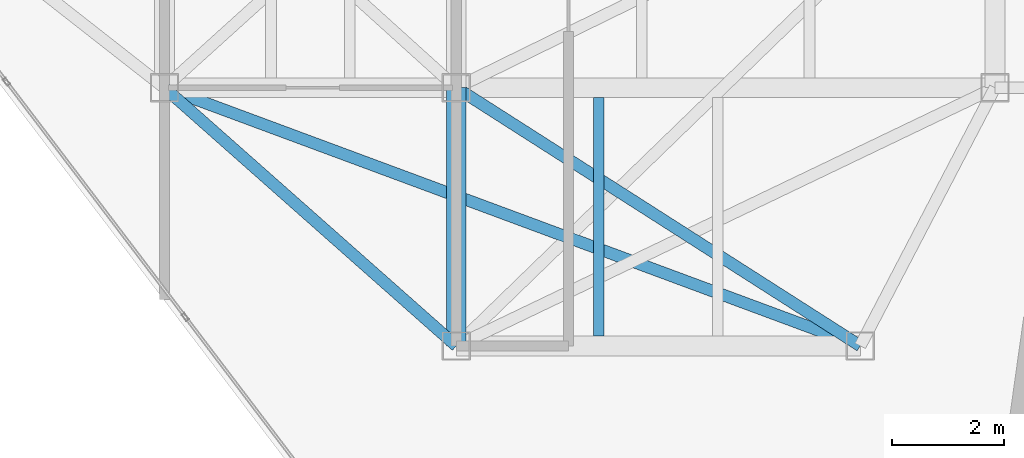
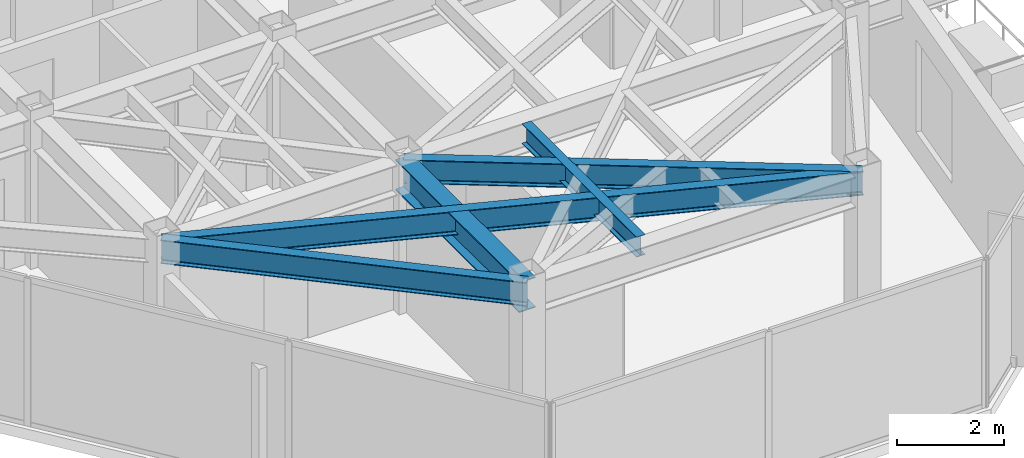
# One storey, part 8 of 19: 5 beams.
"""IFC4 building model written with IfcOpenShell, lengths in metres."""

from ifc_helpers import new_model, si_unit, direction, frame, origin, origin_2d, place, context, subcontext, project, spatial, i_section, extrude, material, material_profile, profile_set, type_object, element, save


model = new_model("IFC4")

# Units and contexts
model_context = context("Model", 3, precision=1e-05, world=origin(), true_north=direction((0.0, 1.0)))
body_context = subcontext(model_context, "Body", "Model", "MODEL_VIEW")
ifc_project = project(units=[si_unit("LENGTHUNIT", "METRE"), si_unit("AREAUNIT", "SQUARE_METRE"), si_unit("VOLUMEUNIT", "CUBIC_METRE"), si_unit("PLANEANGLEUNIT", "RADIAN"), si_unit("MASSUNIT", "GRAM", prefix="KILO")], contexts=[model_context])

# Site, building, storey
site_placement = place(None, origin())
site = spatial("IfcSite", under=ifc_project, at=site_placement, CompositionType="ELEMENT")
building_placement = place(site_placement, origin())
building = spatial("IfcBuilding", under=site, at=building_placement, Name="Kravanh Interchange Tower", CompositionType="ELEMENT")
storey_placement = place(building_placement, frame((0.0, 0.0, 267.0)))
storey = spatial("IfcBuildingStorey", under=building, at=storey_placement, Name="L65", CompositionType="ELEMENT", Elevation=267.0)

# Beams
ifc_material_1 = material(Name="Structural Steel S355", Category="steel")
ifc_material_profile_1 = material_profile(ifc_material_1, i_section(OverallWidth=0.35498046875, OverallDepth=0.696044921875, WebThickness=0.015380859375, FlangeThickness=0.02490234375, FilletRadius=0.02392578125, at=origin_2d()), Name="W27X146")
ifc_profile_set_1 = profile_set([ifc_material_profile_1], Name="Structural Steel S355")
beam_type_1 = type_object("IfcBeamType", Name="Floor Beam W27X146 Structural Steel S355", PredefinedType="BEAM", material=ifc_profile_set_1)
beam_1_placement = place(storey_placement, frame((56.0, 26.800048828125, 3.011962890625), z_axis=(0.0, -1.0, 0.0), x_axis=(1.0, 0.0, 0.0)))
element("IfcBeam", 1, at=beam_1_placement, inside=storey, type_object=beam_type_1, Name="L65 Primary Floor Girder 28", PredefinedType="BEAM", context=body_context, shape_type="SweptSolid", body=[
    extrude(i_section(OverallWidth=0.35498046875, OverallDepth=0.696044921875, WebThickness=0.015380859375, FlangeThickness=0.02490234375, FilletRadius=0.02392578125, at=origin_2d()), origin(), (0.0, 0.0, 1.0), 4.60009765625),
])
ifc_material_2 = material(Name="Structural Steel S355", Category="steel")
ifc_material_profile_2 = material_profile(ifc_material_2, i_section(OverallWidth=0.18994140625, OverallDepth=0.45703125, WebThickness=0.009033203125, FlangeThickness=0.014404296875, FilletRadius=0.01806640625, at=origin_2d()), Name="W18X50")
ifc_profile_set_2 = profile_set([ifc_material_profile_2], Name="Structural Steel S355")
beam_type_2 = type_object("IfcBeamType", Name="Floor Joist W18X50 Structural Steel S355", PredefinedType="JOIST", material=ifc_profile_set_2)
beam_2_placement = place(storey_placement, frame((58.5380859375, 22.37255859375, 3.131591796875), z_axis=(0.0, 1.0, 0.0), x_axis=(-1.0, 0.0, 0.0)))
element("IfcBeam", 2, at=beam_2_placement, inside=storey, type_object=beam_type_2, Name="L65 Secondary Floor Joist 1", PredefinedType="JOIST", context=body_context, shape_type="SweptSolid", body=[
    extrude(i_section(OverallWidth=0.18994140625, OverallDepth=0.45703125, WebThickness=0.009033203125, FlangeThickness=0.014404296875, FilletRadius=0.01806640625, at=origin_2d()), origin(), (0.0, 0.0, 1.0), 4.2548828125),
])
ifc_material_3 = material(Name="Structural Steel S355", Category="steel")
ifc_material_profile_3 = material_profile(ifc_material_3, i_section(OverallWidth=0.2099609375, OverallDepth=0.537109375, WebThickness=0.010986328125, FlangeThickness=0.017333984375, FilletRadius=0.02001953125, at=origin_2d()), Name="W21X68")
ifc_profile_set_3 = profile_set([ifc_material_profile_3], Name="Structural Steel S355")
beam_type_3 = type_object("IfcBeamType", Name="Floor Spandrel W21X68 Structural Steel S355", PredefinedType="SPANDREL", material=ifc_profile_set_3)
beam_3_placement = place(storey_placement, frame((50.800048828125, 26.800048828125, 3.091552734375), z_axis=(0.74898649432, -0.662585263439, 0.0), x_axis=(0.662585263439, 0.74898649432, 0.0)))
element("IfcBeam", 3, at=beam_3_placement, inside=storey, type_object=beam_type_3, Name="L65 Perimeter Spandrel 26", PredefinedType="SPANDREL", context=body_context, shape_type="SweptSolid", body=[
    extrude(i_section(OverallWidth=0.2099609375, OverallDepth=0.537109375, WebThickness=0.010986328125, FlangeThickness=0.017333984375, FilletRadius=0.02001953125, at=origin_2d()), origin(), (0.0, 0.0, 1.0), 6.942626953125),
])
beam_4_placement = place(storey_placement, frame((50.800048828125, 26.800048828125, 3.091552734375), z_axis=(0.937562917338, -0.347815721372, 0.0), x_axis=(0.347815721372, 0.937562917338, 0.0)))
element("IfcBeam", 4, at=beam_4_placement, inside=storey, type_object=beam_type_3, Name="L65 Perimeter Spandrel 27", PredefinedType="SPANDREL", context=body_context, shape_type="SweptSolid", body=[
    extrude(i_section(OverallWidth=0.2099609375, OverallDepth=0.537109375, WebThickness=0.010986328125, FlangeThickness=0.017333984375, FilletRadius=0.02001953125, at=origin_2d()), origin(), (0.0, 0.0, 1.0), 13.2255859375),
])
beam_5_placement = place(storey_placement, frame((56.0, 26.800048828125, 3.091552734375), z_axis=(0.842689417531, -0.53839998661, 0.0), x_axis=(0.53839998661, 0.842689417531, 0.0)))
element("IfcBeam", 5, at=beam_5_placement, inside=storey, type_object=beam_type_3, Name="L65 Perimeter Spandrel 29", PredefinedType="SPANDREL", context=body_context, shape_type="SweptSolid", body=[
    extrude(i_section(OverallWidth=0.2099609375, OverallDepth=0.537109375, WebThickness=0.010986328125, FlangeThickness=0.017333984375, FilletRadius=0.02001953125, at=origin_2d()), origin(), (0.0, 0.0, 1.0), 8.5439453125),
])

save(model, "model.ifc")
